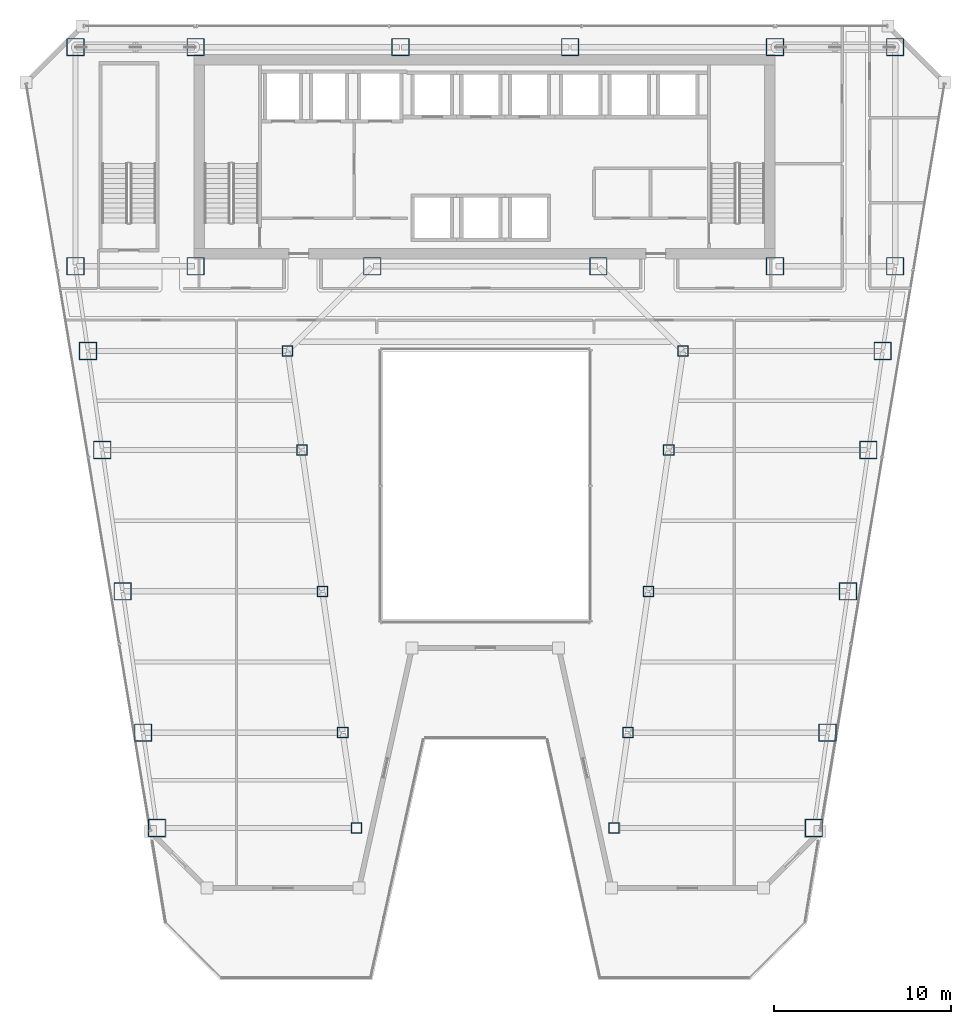
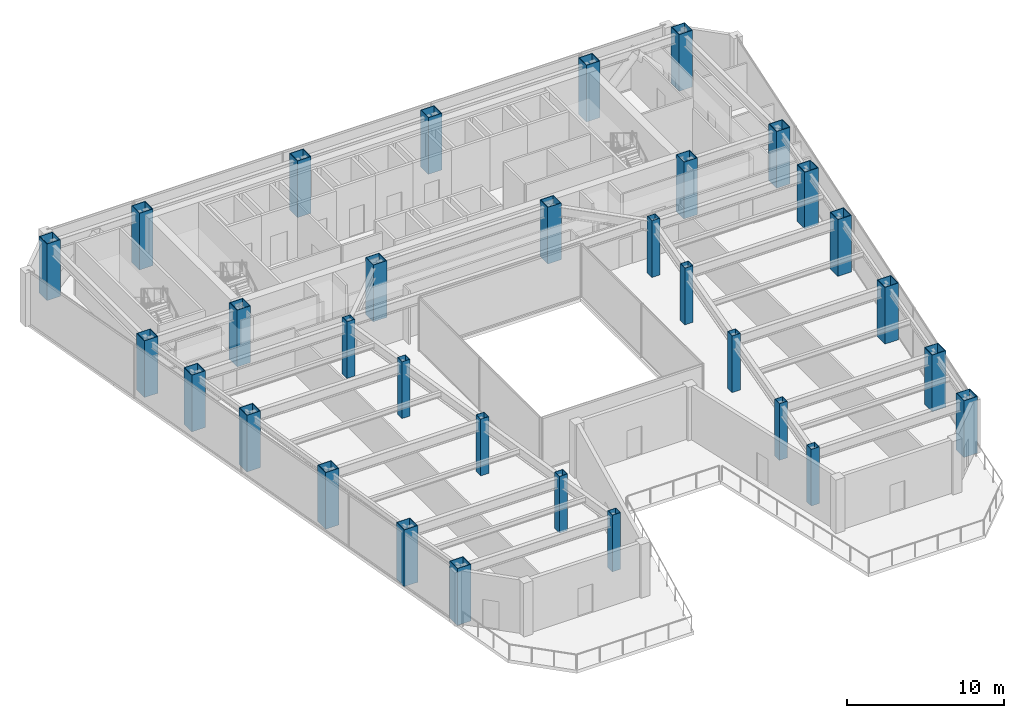
# One storey, part 1 of 35: 32 columns.
"""IFC4 building model written with IfcOpenShell, lengths in metres."""

from ifc_helpers import new_model, si_unit, direction, frame, origin, origin_2d, place, context, subcontext, project, spatial, hollow_rectangle, extrude, material, material_profile, profile_set, type_object, element, save


model = new_model("IFC4")

# Units and contexts
model_context = context("Model", 3, precision=1e-05, world=origin(), true_north=direction((0.0, 1.0)))
body_context = subcontext(model_context, "Body", "Model", "MODEL_VIEW")
ifc_project = project(units=[si_unit("LENGTHUNIT", "METRE"), si_unit("AREAUNIT", "SQUARE_METRE"), si_unit("VOLUMEUNIT", "CUBIC_METRE"), si_unit("PLANEANGLEUNIT", "RADIAN"), si_unit("MASSUNIT", "GRAM", prefix="KILO")], contexts=[model_context])

# Site, building, storey
site_placement = place(None, origin())
site = spatial("IfcSite", under=ifc_project, at=site_placement, CompositionType="ELEMENT")
building_placement = place(site_placement, origin())
building = spatial("IfcBuilding", under=site, at=building_placement, Name="Saevonmaru Cultural Tower", CompositionType="ELEMENT")
storey_placement = place(building_placement, frame((0.0, 0.0, 101.60009765625)))
storey = spatial("IfcBuildingStorey", under=building, at=storey_placement, Name="L21", CompositionType="ELEMENT", Elevation=101.60009765625)

# Columns
ifc_material_1 = material(Name="Steel SM420", Category="steel")
ifc_material_profile_1 = material_profile(ifc_material_1, hollow_rectangle(XDim=1.0, YDim=1.0, WallThickness=0.044921875, at=origin_2d()), Name="BOX-1000x1000x45")
ifc_profile_set_1 = profile_set([ifc_material_profile_1], Name="Steel SM420")
column_type_1 = type_object("IfcColumnType", Name="COL-BOX-1000", PredefinedType="COLUMN", material=ifc_profile_set_1)
for number, where, z_axis, x_axis, name in (
    (1, (6.800048828125, 54.800048828125, 0.0), (0.0, 0.0, 1.0), (1.0, 0.0, 0.0), "L21 Column TC-N1N"),
    (2, (13.60009765625, 54.800048828125, 0.0), (0.0, 0.0, 1.0), (1.0, 0.0, 0.0), "L21 Column TC-N2N"),
    (3, (25.199951171875, 54.800048828125, 0.0), (0.0, 0.0, 1.0), (1.0, 0.0, 0.0), "L21 Column TC-N3N"),
    (4, (34.800048828125, 54.800048828125, 0.0), (0.0, 0.0, 1.0), (1.0, 0.0, 0.0), "L21 Column TC-N4N"),
    (5, (46.39990234375, 54.800048828125, 0.0), (0.0, 0.0, 1.0), (1.0, 0.0, 0.0), "L21 Column TC-N5N"),
    (6, (53.199951171875, 54.800048828125, 0.0), (0.0, 0.0, 1.0), (1.0, 0.0, 0.0), "L21 Column TC-N6N"),
    (7, (6.800048828125, 42.39990234375, 0.0), (0.0, 0.0, 1.0), (1.0, 0.0, 0.0), "L21 Column TC-S1C"),
    (8, (13.60009765625, 42.39990234375, 0.0), (0.0, 0.0, 1.0), (1.0, 0.0, 0.0), "L21 Column TC-S2C"),
    (9, (23.60009765625, 42.39990234375, 0.0), (0.0, 0.0, 1.0), (1.0, 0.0, 0.0), "L21 Column TC-S3C"),
    (10, (36.39990234375, 42.39990234375, 0.0), (0.0, 0.0, 1.0), (1.0, 0.0, 0.0), "L21 Column TC-S4C"),
    (11, (46.39990234375, 42.39990234375, 0.0), (0.0, 0.0, 1.0), (1.0, 0.0, 0.0), "L21 Column TC-S5C"),
    (12, (53.199951171875, 42.39990234375, 0.0), (0.0, 0.0, 1.0), (1.0, 0.0, 0.0), "L21 Column TC-S6C"),
    (13, (11.407958984375, 10.60009765625, 0.0), (0.0, 0.0, 1.0), (1.0, 0.0, 0.0), "L21 Column TC-WO-Y106"),
    (14, (48.592041015625, 10.60009765625, 0.0), (0.0, 0.0, 1.0), (1.0, 0.0, 0.0), "L21 Column TC-EO-Y106"),
    (15, (10.6279296875, 16.0, 0.0), (0.0, 0.0, 1.0), (1.0, 0.0, 0.0), "L21 Column TC-WO-Y160"),
    (16, (49.3720703125, 16.0, 0.0), (0.0, 0.0, 1.0), (1.0, 0.0, 0.0), "L21 Column TC-EO-Y160"),
    (17, (9.471923828125, 24.0, 0.0), (0.0, 0.0, 1.0), (1.0, 0.0, 0.0), "L21 Column TC-WO-Y240"),
    (18, (50.528076171875, 24.0, 0.0), (0.0, 0.0, 1.0), (1.0, 0.0, 0.0), "L21 Column TC-EO-Y240"),
    (19, (8.31689453125, 32.0, 0.0), (0.0, 0.0, 1.0), (1.0, 0.0, 0.0), "L21 Column TC-WO-Y320"),
    (20, (51.68310546875, 32.0, 0.0), (0.0, 0.0, 1.0), (1.0, 0.0, 0.0), "L21 Column TC-EO-Y320"),
    (21, (7.508056640625, 37.60009765625, 0.0), (0.0, 0.0, 1.0), (1.0, 0.0, 0.0), "L21 Column TC-WO-Y376"),
    (22, (52.491943359375, 37.60009765625, 0.0), (0.0, 0.0, 1.0), (1.0, 0.0, 0.0), "L21 Column TC-EO-Y376"),
):
    element("IfcColumn", number, at=place(storey_placement, frame(where, z_axis=z_axis, x_axis=x_axis)), inside=storey, type_object=column_type_1, Name=name, PredefinedType="COLUMN", context=body_context, shape_type="SweptSolid", body=[
        extrude(hollow_rectangle(XDim=1.0, YDim=1.0, WallThickness=0.044921875, at=origin_2d()), origin(), (0.0, 0.0, 1.0), 4.39990234375),
    ])
ifc_material_2 = material(Name="Steel SM355", Category="steel")
ifc_material_profile_2 = material_profile(ifc_material_2, hollow_rectangle(XDim=0.60009765625, YDim=0.60009765625, WallThickness=0.028076171875, at=origin_2d()), Name="BOX-600x600x28")
ifc_profile_set_2 = profile_set([ifc_material_profile_2], Name="Steel SM355")
column_type_2 = type_object("IfcColumnType", Name="COL-BOX-600", PredefinedType="COLUMN", material=ifc_profile_set_2)
for number, where, z_axis, x_axis, name in (
    (23, (22.7080078125, 10.60009765625, 0.0), (0.0, 0.0, 1.0), (1.0, 0.0, 0.0), "L21 Column TC-WI-Y106"),
    (24, (37.2919921875, 10.60009765625, 0.0), (0.0, 0.0, 1.0), (1.0, 0.0, 0.0), "L21 Column TC-EI-Y106"),
    (25, (21.927978515625, 16.0, 0.0), (0.0, 0.0, 1.0), (1.0, 0.0, 0.0), "L21 Column TC-WI-Y160"),
    (26, (38.072021484375, 16.0, 0.0), (0.0, 0.0, 1.0), (1.0, 0.0, 0.0), "L21 Column TC-EI-Y160"),
    (27, (20.77197265625, 24.0, 0.0), (0.0, 0.0, 1.0), (1.0, 0.0, 0.0), "L21 Column TC-WI-Y240"),
    (28, (39.22802734375, 24.0, 0.0), (0.0, 0.0, 1.0), (1.0, 0.0, 0.0), "L21 Column TC-EI-Y240"),
    (29, (19.616943359375, 32.0, 0.0), (0.0, 0.0, 1.0), (1.0, 0.0, 0.0), "L21 Column TC-WI-Y320"),
    (30, (40.383056640625, 32.0, 0.0), (0.0, 0.0, 1.0), (1.0, 0.0, 0.0), "L21 Column TC-EI-Y320"),
    (31, (18.80810546875, 37.60009765625, 0.0), (0.0, 0.0, 1.0), (1.0, 0.0, 0.0), "L21 Column TC-WI-Y376"),
    (32, (41.19189453125, 37.60009765625, 0.0), (0.0, 0.0, 1.0), (1.0, 0.0, 0.0), "L21 Column TC-EI-Y376"),
):
    element("IfcColumn", number, at=place(storey_placement, frame(where, z_axis=z_axis, x_axis=x_axis)), inside=storey, type_object=column_type_2, Name=name, PredefinedType="COLUMN", context=body_context, shape_type="SweptSolid", body=[
        extrude(hollow_rectangle(XDim=0.60009765625, YDim=0.60009765625, WallThickness=0.028076171875, at=origin_2d()), origin(), (0.0, 0.0, 1.0), 4.39990234375),
    ])

save(model, "model.ifc")
